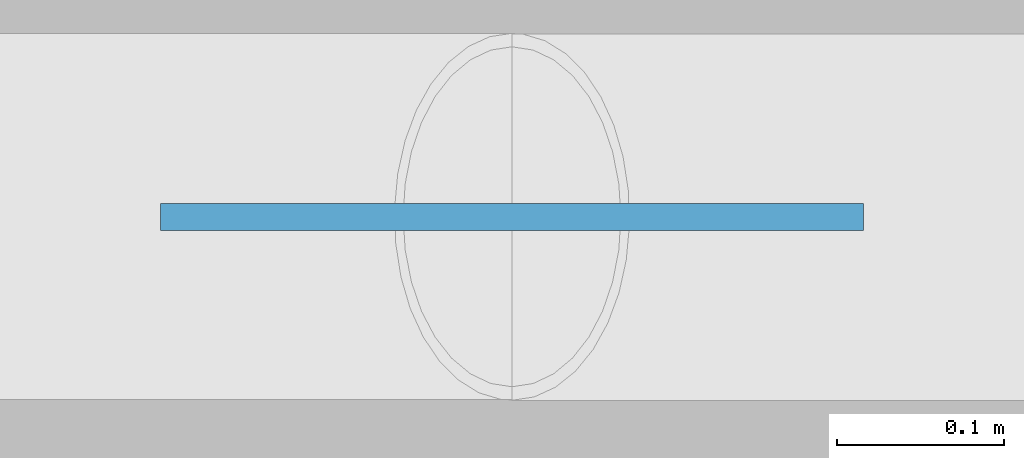
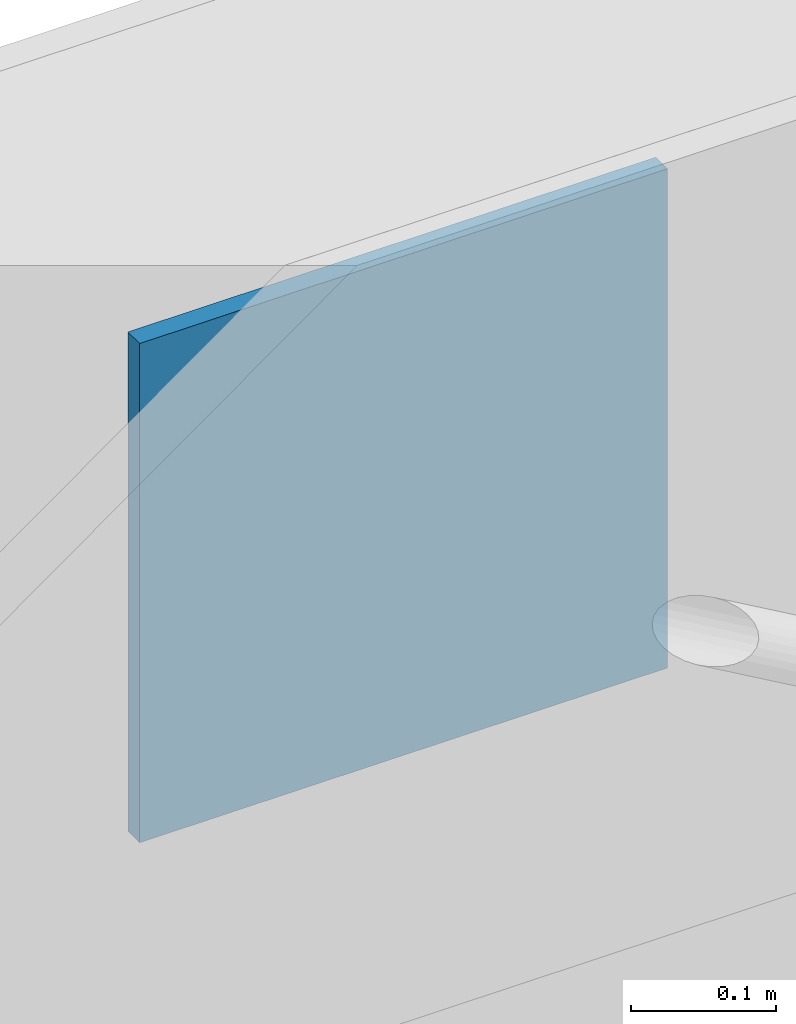
# One storey, part 6 of 13: 1 plate.
"""IFC4 building model written with IfcOpenShell, lengths in metres."""

import ifcopenshell
import ifcopenshell.guid

model = None  # the IFC model being written
_history = None  # IfcOwnerHistory: only IFC2X3 demands one
_inside = {}  # id of a spatial element -> (the spatial element, [elements in it])
_under = {}  # id of a project, library or spatial element -> (it, [spatial elements below it])
_declared = {}  # id of a project -> (the project, [libraries it declares])
_typed = {}  # id of a type object -> (the type object, [elements of that type])
_made_of = {}  # id of a material, layer set ... -> (it, [elements and type objects made of it])


def new_model(schema):
    """Start an empty IFC model of exactly this schema.

    Asked for "IFC4X3", IfcOpenShell would pick the latest addendum, in which some entities
    have other attributes; the version numbers below select the first issue.
    IFC2X3 requires an IfcOwnerHistory on every rooted entity: one is made here for all.
    """
    global model, _history
    if schema == "IFC4X3":
        model = ifcopenshell.file(schema_version=(4, 3, 0, 0))
    else:
        model = ifcopenshell.file(schema=schema)
    _inside.clear()
    _under.clear()
    _declared.clear()
    _typed.clear()
    _made_of.clear()
    _history = None
    if model.schema == "IFC2X3":
        org = make("IfcOrganization", Name="unknown")
        user = make(
            "IfcPersonAndOrganization",
            ThePerson=make("IfcPerson", FamilyName="unknown"),
            TheOrganization=org,
        )
        app = make(
            "IfcApplication",
            ApplicationDeveloper=org,
            Version="unknown",
            ApplicationFullName="unknown",
            ApplicationIdentifier="unknown",
        )
        _history = make(
            "IfcOwnerHistory",
            OwningUser=user,
            OwningApplication=app,
            ChangeAction="ADDED",
            CreationDate=0,
        )
    return model


def make(cls, **values):
    """One entity of the class cls with the attributes given. An attribute that is None is left unset."""
    return model.create_entity(
        cls, **{name: value for name, value in values.items() if value is not None}
    )


def rooted(cls, **values):
    """An entity with a GlobalId (a new one), such as an element, a storey or a relation."""
    return make(cls, GlobalId=ifcopenshell.guid.new(), OwnerHistory=_history, **values)


def si_unit(unit_type, name, prefix=None):
    """IfcSIUnit, for example si_unit("LENGTHUNIT", "METRE", prefix="MILLI")."""
    return make("IfcSIUnit", UnitType=unit_type, Prefix=prefix, Name=name)


def assignment(units):
    """IfcUnitAssignment: the units of a project."""
    return None if units is None else make("IfcUnitAssignment", Units=units)


def point(xyz):
    """IfcCartesianPoint."""
    return None if xyz is None else make("IfcCartesianPoint", Coordinates=xyz)


def direction(xyz):
    """IfcDirection."""
    return None if xyz is None else make("IfcDirection", DirectionRatios=xyz)


def frame(location, z_axis=None, x_axis=None):
    """IfcAxis2Placement3D, a coordinate frame: its origin and axes. An axis left out is left unset."""
    return make(
        "IfcAxis2Placement3D",
        Location=point(location),
        Axis=direction(z_axis),
        RefDirection=direction(x_axis),
    )


def frame_2d(location, x_axis=None):
    """IfcAxis2Placement2D, a coordinate frame in the plane: its origin and x axis."""
    return make(
        "IfcAxis2Placement2D", Location=point(location), RefDirection=direction(x_axis)
    )


def origin():
    """The frame at (0, 0, 0) with its axes left unset."""
    return frame((0.0, 0.0, 0.0))


def origin_2d():
    """The frame at (0, 0) in the plane with its x axis left unset."""
    return frame_2d((0.0, 0.0))


def place(relative_to, where):
    """IfcLocalPlacement: puts the frame where relative to a parent placement (None: the world)."""
    return make(
        "IfcLocalPlacement", PlacementRelTo=relative_to, RelativePlacement=where
    )


def context(
    kind, dimensions, precision=None, world=None, true_north=None, identifier=None
):
    """IfcGeometricRepresentationContext, for example the 3D "Model" context."""
    return make(
        "IfcGeometricRepresentationContext",
        ContextIdentifier=identifier,
        ContextType=kind,
        CoordinateSpaceDimension=dimensions,
        Precision=precision,
        WorldCoordinateSystem=world,
        TrueNorth=true_north,
    )


def subcontext(parent, identifier, kind, view, scale=None):
    """IfcGeometricRepresentationSubContext, for example "Body" below "Model"."""
    return make(
        "IfcGeometricRepresentationSubContext",
        ContextIdentifier=identifier,
        ContextType=kind,
        ParentContext=parent,
        TargetScale=scale,
        TargetView=view,
    )


def project(units=None, contexts=None):
    """IfcProject with its units and contexts."""
    return rooted(
        "IfcProject",
        Name="project",
        RepresentationContexts=contexts,
        UnitsInContext=assignment(units),
    )


def spatial(cls, under=None, at=None, **own):
    """A site, building, storey or space (cls), placed at a placement, below another one or the project."""
    s = rooted(cls, ObjectPlacement=at, **own)
    if under is not None:
        _under.setdefault(under.id(), (under, []))[1].append(s)
    return s


def profile(cls, at=None, kind="AREA", **sizes):
    """A parametric profile (cls). Its sizes go by their IFC names, for example OverallWidth=200.0."""
    return make(cls, ProfileType=kind, Position=at, **sizes)


def rectangle(**sizes):
    """IfcRectangleProfileDef."""
    return profile("IfcRectangleProfileDef", **sizes)


def extrude(swept, where, along, depth):
    """IfcExtrudedAreaSolid: the profile swept, set in the frame where, extruded along a direction by depth."""
    return make(
        "IfcExtrudedAreaSolid",
        SweptArea=swept,
        Position=where,
        ExtrudedDirection=direction(along),
        Depth=depth,
    )


def shape(context_of_items, identifier, shape_type, items):
    """IfcShapeRepresentation: the items that make up one representation, for example the "Body"."""
    return make(
        "IfcShapeRepresentation",
        ContextOfItems=context_of_items,
        RepresentationIdentifier=identifier,
        RepresentationType=shape_type,
        Items=items,
    )


def material(Name=None, Category=None):
    """IfcMaterial."""
    return make("IfcMaterial", Name=Name, Category=Category)


def layer(
    of_material, thickness, ventilated=None, Name=None, Category=None, Priority=None
):
    """IfcMaterialLayer: one layer of a wall or slab, of a material (None: an air gap)."""
    return make(
        "IfcMaterialLayer",
        Material=of_material,
        LayerThickness=thickness,
        IsVentilated=ventilated,
        Name=Name,
        Category=Category,
        Priority=Priority,
    )


def layer_set(layers, Name=None):
    """IfcMaterialLayerSet."""
    return make("IfcMaterialLayerSet", MaterialLayers=layers, LayerSetName=Name)


def made_of(thing, what):
    """Note that an element or type object is made of a material, layer set ...; save() writes the relation."""
    if what is not None:
        _made_of.setdefault(what.id(), (what, []))[1].append(thing)
    return thing


def type_object(cls, material=None, **own):
    """A type object (cls), such as IfcWallType, which elements share."""
    return made_of(rooted(cls, **own), material)


def element(
    cls,
    number,
    at=None,
    inside=None,
    cuts=None,
    type_object=None,
    material=None,
    context=None,
    identifier="Body",
    shape_type=None,
    held_by="IfcProductDefinitionShape",
    body=None,
    shapes=None,
    **own,
):
    """One element of the class cls, such as IfcWall. Its Tag is "e" and its number.

    at: its placement. inside: the storey or other place that contains it. cuts: it is an
    opening in that element (IfcRelVoidsElement). A single representation is given by context,
    identifier, shape_type and body (its items); several are given by shapes. held_by: the class
    of the entity that holds the representations. save() writes the other relations.
    """
    e = rooted(cls, Tag="e%d" % number, ObjectPlacement=at, **own)
    if body is not None:
        shapes = [shape(context, identifier, shape_type, body)]
    if shapes is not None:
        e.Representation = make(held_by, Representations=shapes)
    if inside is not None:
        _inside.setdefault(inside.id(), (inside, []))[1].append(e)
    if cuts is not None:
        rooted(
            "IfcRelVoidsElement", RelatingBuildingElement=cuts, RelatedOpeningElement=e
        )
    if type_object is not None:
        _typed.setdefault(type_object.id(), (type_object, []))[1].append(e)
    return made_of(e, material)


def aggregate(whole, parts):
    """IfcRelAggregates: a whole, such as a stair, and the parts it consists of."""
    return rooted("IfcRelAggregates", RelatingObject=whole, RelatedObjects=parts)


def save(model, path):
    """Write the relations noted so far, then the file.

    IfcRelAggregates (storeys below a building ...), IfcRelContainedInSpatialStructure (elements
    in a storey), IfcRelDefinesByType, IfcRelAssociatesMaterial and IfcRelDeclares: one each for
    every whole, place, type object, material and project.
    """
    for whole, parts in _under.values():
        aggregate(whole, parts)
    for where, things in _inside.values():
        rooted(
            "IfcRelContainedInSpatialStructure",
            RelatedElements=things,
            RelatingStructure=where,
        )
    for kind, things in _typed.values():
        rooted("IfcRelDefinesByType", RelatedObjects=things, RelatingType=kind)
    for what, things in _made_of.values():
        rooted("IfcRelAssociatesMaterial", RelatedObjects=things, RelatingMaterial=what)
    for by, libraries in _declared.values():
        rooted("IfcRelDeclares", RelatingContext=by, RelatedDefinitions=libraries)
    model.write(path)


model = new_model("IFC4")

# Units and contexts
model_context = context("Model", 3, precision=1e-05, world=origin(), true_north=direction((0.0, 1.0)))
body_context = subcontext(model_context, "Body", "Model", "MODEL_VIEW")
ifc_project = project(units=[si_unit("LENGTHUNIT", "METRE"), si_unit("AREAUNIT", "SQUARE_METRE"), si_unit("VOLUMEUNIT", "CUBIC_METRE"), si_unit("PLANEANGLEUNIT", "RADIAN"), si_unit("MASSUNIT", "GRAM", prefix="KILO")], contexts=[model_context])

# Site, building, storey
site_placement = place(None, origin())
site = spatial("IfcSite", under=ifc_project, at=site_placement, CompositionType="ELEMENT")
building_placement = place(site_placement, origin())
building = spatial("IfcBuilding", under=site, at=building_placement, Name="Chengyuan Square Courthouse", CompositionType="ELEMENT")
storey_placement = place(building_placement, frame((0.0, 0.0, 60.300048828125)))
storey = spatial("IfcBuildingStorey", under=building, at=storey_placement, Name="L14", CompositionType="ELEMENT", Elevation=60.300048828125)

# Plate
ifc_material = material(Name="Steel Q355B", Category="steel")
ifc_layer = layer(ifc_material, 0.01611328125)
ifc_layer_set = layer_set([ifc_layer], Name="Steel Q355B")
plate_type = type_object("IfcPlateType", Name="GP-01", PredefinedType="SHEET", material=ifc_layer_set)
plate_placement = place(storey_placement, frame((105.0, 108.0, 3.39990234375), z_axis=(0.0, 0.0, 1.0), x_axis=(1.0, 0.0, 0.0)))
element("IfcPlate", 1, at=plate_placement, inside=storey, type_object=plate_type, Name="Brace Gusset Plate GP-L14-12", PredefinedType="SHEET", context=body_context, shape_type="SweptSolid", body=[
    extrude(rectangle(XDim=0.419921875, YDim=0.01611328125, at=origin_2d()), origin(), (0.0, 0.0, 1.0), 0.419921875),
])

save(model, "model.ifc")
